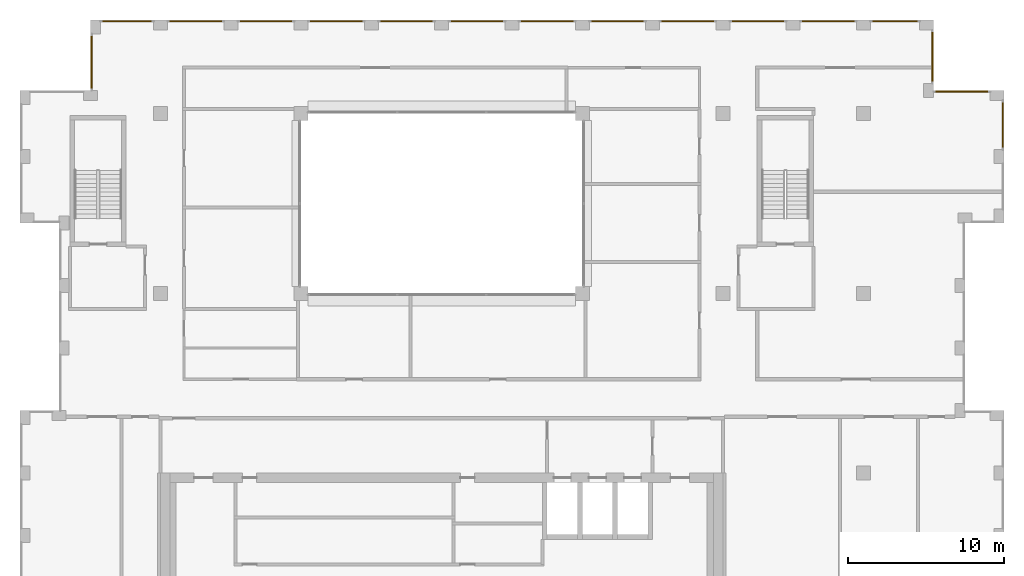
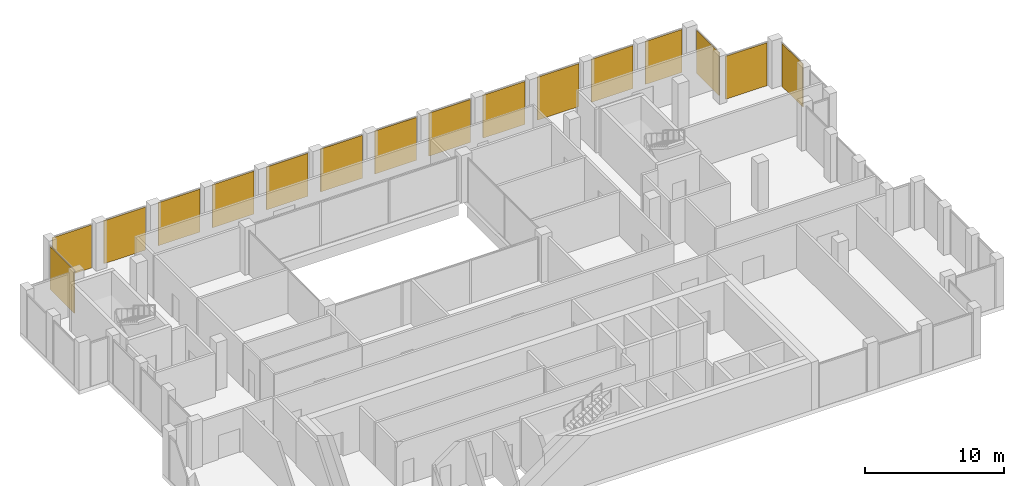
# One storey, part 15 of 15: 16 shading devices, 16 elements without a shape of their own.
"""IFC4 building model written with IfcOpenShell, lengths in metres."""

from ifc_helpers import new_model, si_unit, direction, frame, origin, origin_2d, place, context, subcontext, project, spatial, rectangle, extrude, material, layer, layer_set, type_object, element, aggregate, save


model = new_model("IFC4")

# Units and contexts
model_context = context("Model", 3, precision=1e-05, world=origin(), true_north=direction((0.0, 1.0)))
body_context = subcontext(model_context, "Body", "Model", "MODEL_VIEW")
ifc_project = project(units=[si_unit("LENGTHUNIT", "METRE"), si_unit("AREAUNIT", "SQUARE_METRE"), si_unit("VOLUMEUNIT", "CUBIC_METRE"), si_unit("PLANEANGLEUNIT", "RADIAN"), si_unit("MASSUNIT", "GRAM", prefix="KILO")], contexts=[model_context])

# Site, building, storey
site_placement = place(None, origin())
site = spatial("IfcSite", under=ifc_project, at=site_placement, CompositionType="ELEMENT")
building_placement = place(site_placement, origin())
building = spatial("IfcBuilding", under=site, at=building_placement, Name="Brigalow Station Residences", CompositionType="ELEMENT")
storey_placement = place(building_placement, frame((0.0, 0.0, 235.800048828125)))
storey = spatial("IfcBuildingStorey", under=building, at=storey_placement, Name="L68", CompositionType="ELEMENT", Elevation=235.800048828125)

# Curtain wall, shading device
ifc_material_1 = material(Name="Aluminium", Category="aluminium")
ifc_layer_1 = layer(ifc_material_1, 0.14990234375)
ifc_layer_set_1 = layer_set([ifc_layer_1], Name="CROWN CURTAIN WALL")
curtain_wall_type = type_object("IfcCurtainWallType", Name="CROWN CURTAIN WALL", PredefinedType="NOTDEFINED", material=ifc_layer_set_1)
curtain_wall_1_placement = place(storey_placement, origin())
curtain_wall_1 = element("IfcCurtainWall", 1, at=curtain_wall_1_placement, inside=storey, type_object=curtain_wall_type, Name="L68/cw/crown-W-L68-16-16", PredefinedType="NOTDEFINED")
ifc_material_2 = material(Name="Aluminium louvre blade", Category="aluminium")
ifc_layer_2 = layer(ifc_material_2, 0.074951171875)
ifc_layer_set_2 = layer_set([ifc_layer_2], Name="CROWN LOUVRE BAND 75")
shading_device_type = type_object("IfcShadingDeviceType", Name="CROWN LOUVRE BAND 75", PredefinedType="JALOUSIE", material=ifc_layer_set_2)
shading_device_1_placement = place(storey_placement, frame((71.925048828125, 34.77490234375, 0.0), z_axis=(0.0, 0.0, 1.0), x_axis=(0.0, 1.0, 0.0)))
shading_device_1 = element("IfcShadingDevice", 2, at=shading_device_1_placement, type_object=shading_device_type, Name="LOUVRE BAND crown-W-L68-16-16", PredefinedType="JALOUSIE", context=body_context, shape_type="SweptSolid", body=[
    extrude(rectangle(XDim=3.0, YDim=0.074951171875, at=origin_2d()), origin(), (0.0, 0.0, 1.0), 3.77490234375),
])
aggregate(curtain_wall_1, [shading_device_1])

curtain_wall_2_placement = place(storey_placement, origin())
curtain_wall_2 = element("IfcCurtainWall", 3, at=curtain_wall_2_placement, inside=storey, type_object=curtain_wall_type, Name="L68/cw/crown-W-L68-18-17", PredefinedType="NOTDEFINED")
shading_device_2_placement = place(storey_placement, frame((69.300048828125, 36.925048828125, 0.0), z_axis=(0.0, 0.0, 1.0), x_axis=(-1.0, 0.0, 0.0)))
shading_device_2 = element("IfcShadingDevice", 4, at=shading_device_2_placement, type_object=shading_device_type, Name="LOUVRE BAND crown-W-L68-18-17", PredefinedType="JALOUSIE", context=body_context, shape_type="SweptSolid", body=[
    extrude(rectangle(XDim=3.449951171875, YDim=0.074951171875, at=origin_2d()), origin(), (0.0, 0.0, 1.0), 3.77490234375),
])
aggregate(curtain_wall_2, [shading_device_2])

curtain_wall_3_placement = place(storey_placement, origin())
curtain_wall_3 = element("IfcCurtainWall", 5, at=curtain_wall_3_placement, inside=storey, type_object=curtain_wall_type, Name="L68/cw/crown-W-L68-19-18", PredefinedType="NOTDEFINED")
shading_device_3_placement = place(storey_placement, frame((67.425048828125, 39.14990234375, 0.0), z_axis=(0.0, 0.0, 1.0), x_axis=(0.0, 1.0, 0.0)))
shading_device_3 = element("IfcShadingDevice", 6, at=shading_device_3_placement, type_object=shading_device_type, Name="LOUVRE BAND crown-W-L68-19-18", PredefinedType="JALOUSIE", context=body_context, shape_type="SweptSolid", body=[
    extrude(rectangle(XDim=3.25, YDim=0.074951171875, at=origin_2d()), origin(), (0.0, 0.0, 1.0), 3.77490234375),
])
aggregate(curtain_wall_3, [shading_device_3])

curtain_wall_4_placement = place(storey_placement, origin())
curtain_wall_4 = element("IfcCurtainWall", 7, at=curtain_wall_4_placement, inside=storey, type_object=curtain_wall_type, Name="L68/cw/crown-W-L68-20-19", PredefinedType="NOTDEFINED")
shading_device_4_placement = place(storey_placement, frame((65.02490234375, 41.425048828125, 0.0), z_axis=(0.0, 0.0, 1.0), x_axis=(-1.0, 0.0, 0.0)))
shading_device_4 = element("IfcShadingDevice", 8, at=shading_device_4_placement, type_object=shading_device_type, Name="LOUVRE BAND crown-W-L68-20-19", PredefinedType="JALOUSIE", context=body_context, shape_type="SweptSolid", body=[
    extrude(rectangle(XDim=3.0, YDim=0.074951171875, at=origin_2d()), origin(), (0.0, 0.0, 1.0), 3.77490234375),
])
aggregate(curtain_wall_4, [shading_device_4])

curtain_wall_5_placement = place(storey_placement, origin())
curtain_wall_5 = element("IfcCurtainWall", 9, at=curtain_wall_5_placement, inside=storey, type_object=curtain_wall_type, Name="L68/cw/crown-W-L68-20-20", PredefinedType="NOTDEFINED")
shading_device_5_placement = place(storey_placement, frame((60.75, 41.425048828125, 0.0), z_axis=(0.0, 0.0, 1.0), x_axis=(-1.0, 0.0, 0.0)))
shading_device_5 = element("IfcShadingDevice", 10, at=shading_device_5_placement, type_object=shading_device_type, Name="LOUVRE BAND crown-W-L68-20-20", PredefinedType="JALOUSIE", context=body_context, shape_type="SweptSolid", body=[
    extrude(rectangle(XDim=3.449951171875, YDim=0.074951171875, at=origin_2d()), origin(), (0.0, 0.0, 1.0), 3.77490234375),
])
aggregate(curtain_wall_5, [shading_device_5])

curtain_wall_6_placement = place(storey_placement, origin())
curtain_wall_6 = element("IfcCurtainWall", 11, at=curtain_wall_6_placement, inside=storey, type_object=curtain_wall_type, Name="L68/cw/crown-W-L68-20-21", PredefinedType="NOTDEFINED")
shading_device_6_placement = place(storey_placement, frame((56.25, 41.425048828125, 0.0), z_axis=(0.0, 0.0, 1.0), x_axis=(-1.0, 0.0, 0.0)))
shading_device_6 = element("IfcShadingDevice", 12, at=shading_device_6_placement, type_object=shading_device_type, Name="LOUVRE BAND crown-W-L68-20-21", PredefinedType="JALOUSIE", context=body_context, shape_type="SweptSolid", body=[
    extrude(rectangle(XDim=3.449951171875, YDim=0.074951171875, at=origin_2d()), origin(), (0.0, 0.0, 1.0), 3.77490234375),
])
aggregate(curtain_wall_6, [shading_device_6])

curtain_wall_7_placement = place(storey_placement, origin())
curtain_wall_7 = element("IfcCurtainWall", 13, at=curtain_wall_7_placement, inside=storey, type_object=curtain_wall_type, Name="L68/cw/crown-W-L68-20-22", PredefinedType="NOTDEFINED")
shading_device_7_placement = place(storey_placement, frame((51.75, 41.425048828125, 0.0), z_axis=(0.0, 0.0, 1.0), x_axis=(-1.0, 0.0, 0.0)))
shading_device_7 = element("IfcShadingDevice", 14, at=shading_device_7_placement, type_object=shading_device_type, Name="LOUVRE BAND crown-W-L68-20-22", PredefinedType="JALOUSIE", context=body_context, shape_type="SweptSolid", body=[
    extrude(rectangle(XDim=3.449951171875, YDim=0.074951171875, at=origin_2d()), origin(), (0.0, 0.0, 1.0), 3.77490234375),
])
aggregate(curtain_wall_7, [shading_device_7])

curtain_wall_8_placement = place(storey_placement, origin())
curtain_wall_8 = element("IfcCurtainWall", 15, at=curtain_wall_8_placement, inside=storey, type_object=curtain_wall_type, Name="L68/cw/crown-W-L68-20-23", PredefinedType="NOTDEFINED")
shading_device_8_placement = place(storey_placement, frame((47.25, 41.425048828125, 0.0), z_axis=(0.0, 0.0, 1.0), x_axis=(-1.0, 0.0, 0.0)))
shading_device_8 = element("IfcShadingDevice", 16, at=shading_device_8_placement, type_object=shading_device_type, Name="LOUVRE BAND crown-W-L68-20-23", PredefinedType="JALOUSIE", context=body_context, shape_type="SweptSolid", body=[
    extrude(rectangle(XDim=3.449951171875, YDim=0.074951171875, at=origin_2d()), origin(), (0.0, 0.0, 1.0), 3.77490234375),
])
aggregate(curtain_wall_8, [shading_device_8])

curtain_wall_9_placement = place(storey_placement, origin())
curtain_wall_9 = element("IfcCurtainWall", 17, at=curtain_wall_9_placement, inside=storey, type_object=curtain_wall_type, Name="L68/cw/crown-W-L68-20-24", PredefinedType="NOTDEFINED")
shading_device_9_placement = place(storey_placement, frame((42.75, 41.425048828125, 0.0), z_axis=(0.0, 0.0, 1.0), x_axis=(-1.0, 0.0, 0.0)))
shading_device_9 = element("IfcShadingDevice", 18, at=shading_device_9_placement, type_object=shading_device_type, Name="LOUVRE BAND crown-W-L68-20-24", PredefinedType="JALOUSIE", context=body_context, shape_type="SweptSolid", body=[
    extrude(rectangle(XDim=3.449951171875, YDim=0.074951171875, at=origin_2d()), origin(), (0.0, 0.0, 1.0), 3.77490234375),
])
aggregate(curtain_wall_9, [shading_device_9])

curtain_wall_10_placement = place(storey_placement, origin())
curtain_wall_10 = element("IfcCurtainWall", 19, at=curtain_wall_10_placement, inside=storey, type_object=curtain_wall_type, Name="L68/cw/crown-W-L68-20-25", PredefinedType="NOTDEFINED")
shading_device_10_placement = place(storey_placement, frame((38.25, 41.425048828125, 0.0), z_axis=(0.0, 0.0, 1.0), x_axis=(-1.0, 0.0, 0.0)))
shading_device_10 = element("IfcShadingDevice", 20, at=shading_device_10_placement, type_object=shading_device_type, Name="LOUVRE BAND crown-W-L68-20-25", PredefinedType="JALOUSIE", context=body_context, shape_type="SweptSolid", body=[
    extrude(rectangle(XDim=3.449951171875, YDim=0.074951171875, at=origin_2d()), origin(), (0.0, 0.0, 1.0), 3.77490234375),
])
aggregate(curtain_wall_10, [shading_device_10])

curtain_wall_11_placement = place(storey_placement, origin())
curtain_wall_11 = element("IfcCurtainWall", 21, at=curtain_wall_11_placement, inside=storey, type_object=curtain_wall_type, Name="L68/cw/crown-W-L68-20-26", PredefinedType="NOTDEFINED")
shading_device_11_placement = place(storey_placement, frame((33.75, 41.425048828125, 0.0), z_axis=(0.0, 0.0, 1.0), x_axis=(-1.0, 0.0, 0.0)))
shading_device_11 = element("IfcShadingDevice", 22, at=shading_device_11_placement, type_object=shading_device_type, Name="LOUVRE BAND crown-W-L68-20-26", PredefinedType="JALOUSIE", context=body_context, shape_type="SweptSolid", body=[
    extrude(rectangle(XDim=3.449951171875, YDim=0.074951171875, at=origin_2d()), origin(), (0.0, 0.0, 1.0), 3.77490234375),
])
aggregate(curtain_wall_11, [shading_device_11])

curtain_wall_12_placement = place(storey_placement, origin())
curtain_wall_12 = element("IfcCurtainWall", 23, at=curtain_wall_12_placement, inside=storey, type_object=curtain_wall_type, Name="L68/cw/crown-W-L68-20-27", PredefinedType="NOTDEFINED")
shading_device_12_placement = place(storey_placement, frame((29.25, 41.425048828125, 0.0), z_axis=(0.0, 0.0, 1.0), x_axis=(-1.0, 0.0, 0.0)))
shading_device_12 = element("IfcShadingDevice", 24, at=shading_device_12_placement, type_object=shading_device_type, Name="LOUVRE BAND crown-W-L68-20-27", PredefinedType="JALOUSIE", context=body_context, shape_type="SweptSolid", body=[
    extrude(rectangle(XDim=3.449951171875, YDim=0.074951171875, at=origin_2d()), origin(), (0.0, 0.0, 1.0), 3.77490234375),
])
aggregate(curtain_wall_12, [shading_device_12])

curtain_wall_13_placement = place(storey_placement, origin())
curtain_wall_13 = element("IfcCurtainWall", 25, at=curtain_wall_13_placement, inside=storey, type_object=curtain_wall_type, Name="L68/cw/crown-W-L68-20-28", PredefinedType="NOTDEFINED")
shading_device_13_placement = place(storey_placement, frame((24.75, 41.425048828125, 0.0), z_axis=(0.0, 0.0, 1.0), x_axis=(-1.0, 0.0, 0.0)))
shading_device_13 = element("IfcShadingDevice", 26, at=shading_device_13_placement, type_object=shading_device_type, Name="LOUVRE BAND crown-W-L68-20-28", PredefinedType="JALOUSIE", context=body_context, shape_type="SweptSolid", body=[
    extrude(rectangle(XDim=3.449951171875, YDim=0.074951171875, at=origin_2d()), origin(), (0.0, 0.0, 1.0), 3.77490234375),
])
aggregate(curtain_wall_13, [shading_device_13])

curtain_wall_14_placement = place(storey_placement, origin())
curtain_wall_14 = element("IfcCurtainWall", 27, at=curtain_wall_14_placement, inside=storey, type_object=curtain_wall_type, Name="L68/cw/crown-W-L68-20-29", PredefinedType="NOTDEFINED")
shading_device_14_placement = place(storey_placement, frame((20.25, 41.425048828125, 0.0), z_axis=(0.0, 0.0, 1.0), x_axis=(-1.0, 0.0, 0.0)))
shading_device_14 = element("IfcShadingDevice", 28, at=shading_device_14_placement, type_object=shading_device_type, Name="LOUVRE BAND crown-W-L68-20-29", PredefinedType="JALOUSIE", context=body_context, shape_type="SweptSolid", body=[
    extrude(rectangle(XDim=3.449951171875, YDim=0.074951171875, at=origin_2d()), origin(), (0.0, 0.0, 1.0), 3.77490234375),
])
aggregate(curtain_wall_14, [shading_device_14])

curtain_wall_15_placement = place(storey_placement, origin())
curtain_wall_15 = element("IfcCurtainWall", 29, at=curtain_wall_15_placement, inside=storey, type_object=curtain_wall_type, Name="L68/cw/crown-W-L68-20-30", PredefinedType="NOTDEFINED")
shading_device_15_placement = place(storey_placement, frame((15.85009765625, 41.425048828125, 0.0), z_axis=(0.0, 0.0, 1.0), x_axis=(-1.0, 0.0, 0.0)))
shading_device_15 = element("IfcShadingDevice", 30, at=shading_device_15_placement, type_object=shading_device_type, Name="LOUVRE BAND crown-W-L68-20-30", PredefinedType="JALOUSIE", context=body_context, shape_type="SweptSolid", body=[
    extrude(rectangle(XDim=3.25, YDim=0.074951171875, at=origin_2d()), origin(), (0.0, 0.0, 1.0), 3.77490234375),
])
aggregate(curtain_wall_15, [shading_device_15])

curtain_wall_16_placement = place(storey_placement, origin())
curtain_wall_16 = element("IfcCurtainWall", 31, at=curtain_wall_16_placement, inside=storey, type_object=curtain_wall_type, Name="L68/cw/crown-W-L68-32-31", PredefinedType="NOTDEFINED")
shading_device_16_placement = place(storey_placement, frame((13.574951171875, 38.800048828125, 0.0), z_axis=(0.0, 0.0, 1.0), x_axis=(0.0, -1.0, 0.0)))
shading_device_16 = element("IfcShadingDevice", 32, at=shading_device_16_placement, type_object=shading_device_type, Name="LOUVRE BAND crown-W-L68-32-31", PredefinedType="JALOUSIE", context=body_context, shape_type="SweptSolid", body=[
    extrude(rectangle(XDim=3.449951171875, YDim=0.074951171875, at=origin_2d()), origin(), (0.0, 0.0, 1.0), 3.77490234375),
])
aggregate(curtain_wall_16, [shading_device_16])

save(model, "model.ifc")
